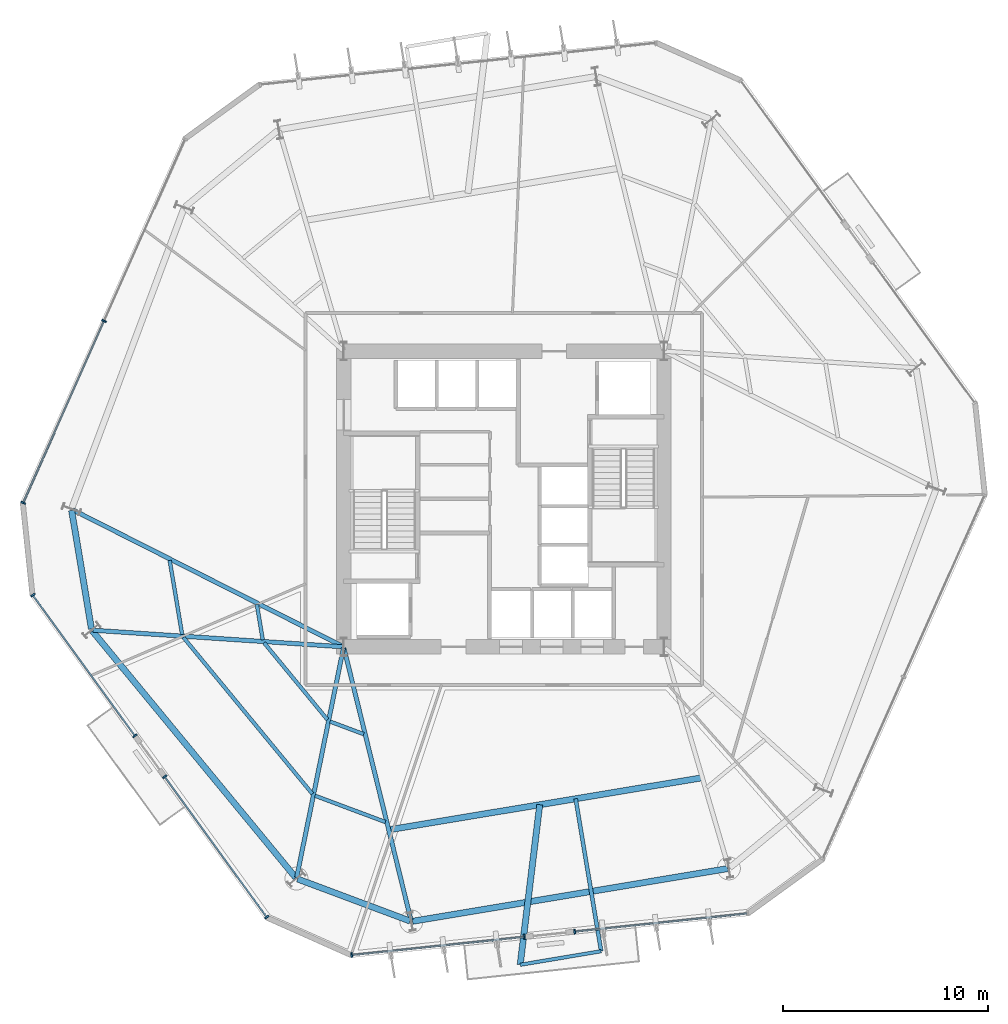
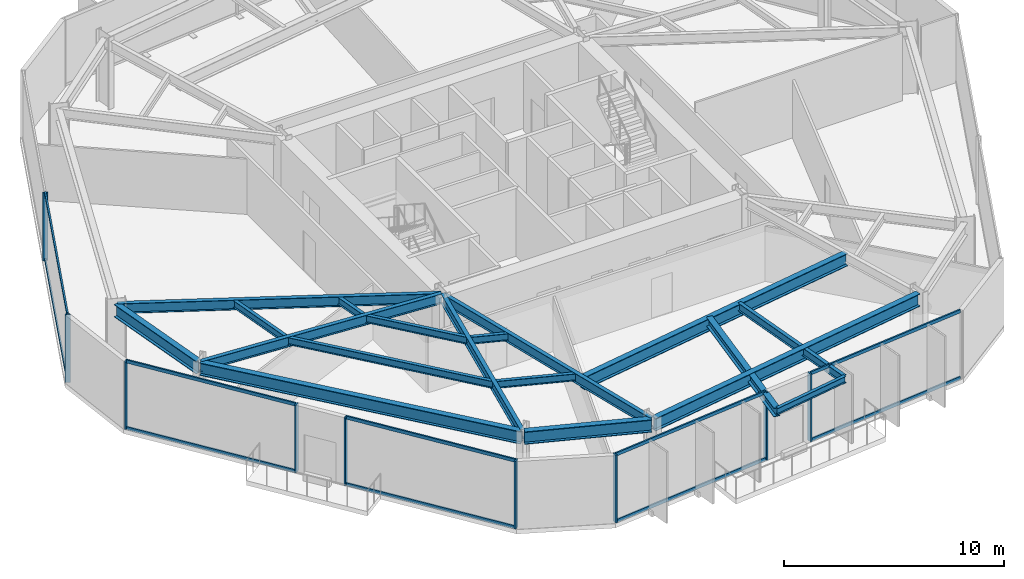
# One storey, part 2 of 11: 19 members, 18 beams, 5 elements without a shape of their own.
"""IFC4 building model written with IfcOpenShell, lengths in metres."""

from ifc_helpers import new_model, si_unit, direction, frame, origin, origin_2d, place, context, subcontext, project, spatial, rectangle, i_section, extrude, material, layer, layer_set, material_profile, profile_set, type_object, element, aggregate, save


model = new_model("IFC4")

# Units and contexts
model_context = context("Model", 3, precision=1e-05, world=origin(), true_north=direction((0.0, 1.0)))
body_context = subcontext(model_context, "Body", "Model", "MODEL_VIEW")
ifc_project = project(units=[si_unit("LENGTHUNIT", "METRE"), si_unit("AREAUNIT", "SQUARE_METRE"), si_unit("VOLUMEUNIT", "CUBIC_METRE"), si_unit("PLANEANGLEUNIT", "RADIAN"), si_unit("MASSUNIT", "GRAM", prefix="KILO")], contexts=[model_context])

# Site, building, storey
site_placement = place(None, origin())
site = spatial("IfcSite", under=ifc_project, at=site_placement, CompositionType="ELEMENT")
building_placement = place(site_placement, origin())
building = spatial("IfcBuilding", under=site, at=building_placement, Name="Kranzbogen Civic Tower", CompositionType="ELEMENT")
storey_placement = place(building_placement, frame((0.0, 0.0, 44.0)))
storey = spatial("IfcBuildingStorey", under=building, at=storey_placement, Name="L10", CompositionType="ELEMENT", Elevation=44.0)

# Beam
ifc_material_1 = material(Name="Steel S355", Category="steel")
ifc_material_profile_1 = material_profile(ifc_material_1, i_section(OverallWidth=0.18994140625, OverallDepth=0.449951171875, WebThickness=0.009521484375, FlangeThickness=0.0146484375, at=origin_2d()), Name="IPE 450")
ifc_profile_set_1 = profile_set([ifc_material_profile_1], Name="Steel S355")
beam_type_1 = type_object("IfcBeamType", Name="Braced Terrace Edge Beam IPE 450", PredefinedType="BEAM", material=ifc_profile_set_1)
beam_1_placement = place(storey_placement, frame((28.4970703125, 10.402099609375, 3.52490234375), z_axis=(0.164993294132, -0.986294688666, 0.0), x_axis=(0.986294688666, 0.164993294132, 0.0)))
element("IfcBeam", 1, at=beam_1_placement, inside=storey, type_object=beam_type_1, Name="L11 back-spanned terrace beam L11-TB1-2", PredefinedType="BEAM", context=body_context, shape_type="SweptSolid", body=[
    extrude(i_section(OverallWidth=0.18994140625, OverallDepth=0.449951171875, WebThickness=0.009521484375, FlangeThickness=0.0146484375, at=origin_2d()), origin(), (0.0, 0.0, 1.0), 7.52734375),
])

# Curtain wall, members
ifc_material_2 = material(Name="Pale Anodised Aluminium", Category="aluminium")
ifc_layer = layer(ifc_material_2, 0.219970703125, Name="Pale Anodised Aluminium")
ifc_layer_set = layer_set([ifc_layer], Name="Pale Anodised Aluminium")
curtain_wall_type = type_object("IfcCurtainWallType", Name="Zone 1 Stick Curtain Wall System CW-02", PredefinedType="USERDEFINED", material=ifc_layer_set)
curtain_wall_1_placement = place(storey_placement, origin())
curtain_wall_1 = element("IfcCurtainWall", 2, at=curtain_wall_1_placement, inside=storey, type_object=curtain_wall_type, Name="L10 curtain wall CW-L10-F3", ObjectType="STICK CURTAIN WALL", PredefinedType="USERDEFINED")
ifc_material_profile_2 = material_profile(ifc_material_2, rectangle(XDim=0.080078125, YDim=0.239990234375, at=origin_2d()), Name="ALU-M 80x240")
ifc_profile_set_2 = profile_set([ifc_material_profile_2], Name="Pale Anodised Aluminium")
member_type_1 = type_object("IfcMemberType", Name="Curtain Wall Mullion ALU-M 80x240", PredefinedType="MULLION", material=ifc_profile_set_2)
member_1_placement = place(storey_placement, frame((5.531982421875, 33.66748046875, 0.0), z_axis=(0.0, 0.0, 1.0), x_axis=(-0.406749234104, -0.913539851652, 0.0)))
member_1 = element("IfcMember", 3, at=member_1_placement, type_object=member_type_1, Name="CW-02 mullion 2", PredefinedType="MULLION", context=body_context, shape_type="SweptSolid", body=[
    extrude(rectangle(XDim=0.080078125, YDim=0.239990234375, at=origin_2d()), origin(), (0.0, 0.0, 1.0), 3.760009765625),
])
member_2_placement = place(storey_placement, frame((1.590087890625, 24.814453125, 0.0), z_axis=(0.0, 0.0, 1.0), x_axis=(-0.406749234104, -0.913539851652, 0.0)))
member_2 = element("IfcMember", 4, at=member_2_placement, type_object=member_type_1, Name="CW-02 mullion 3", PredefinedType="MULLION", context=body_context, shape_type="SweptSolid", body=[
    extrude(rectangle(XDim=0.080078125, YDim=0.239990234375, at=origin_2d()), origin(), (0.0, 0.0, 1.0), 3.760009765625),
])

curtain_wall_2_placement = place(storey_placement, origin())
curtain_wall_2 = element("IfcCurtainWall", 5, at=curtain_wall_2_placement, inside=storey, type_object=curtain_wall_type, Name="L10 curtain wall CW-L10-F4-S1", ObjectType="STICK CURTAIN WALL", PredefinedType="USERDEFINED")
member_3_placement = place(storey_placement, frame((2.063720703125, 20.314697265625, 0.0), z_axis=(0.0, 0.0, 1.0), x_axis=(0.587801827819, -0.809004951291, 0.0)))
member_3 = element("IfcMember", 6, at=member_3_placement, type_object=member_type_1, Name="CW-02 mullion 1", PredefinedType="MULLION", context=body_context, shape_type="SweptSolid", body=[
    extrude(rectangle(XDim=0.080078125, YDim=0.239990234375, at=origin_2d()), origin(), (0.0, 0.0, 1.0), 3.760009765625),
])
member_4_placement = place(storey_placement, frame((7.037353515625, 13.46923828125, 0.0), z_axis=(0.0, 0.0, 1.0), x_axis=(0.587801827819, -0.809004951291, 0.0)))
member_4 = element("IfcMember", 7, at=member_4_placement, type_object=member_type_1, Name="CW-02 mullion 2", PredefinedType="MULLION", context=body_context, shape_type="SweptSolid", body=[
    extrude(rectangle(XDim=0.080078125, YDim=0.239990234375, at=origin_2d()), origin(), (0.0, 0.0, 1.0), 3.760009765625),
])

curtain_wall_3_placement = place(storey_placement, origin())
curtain_wall_3 = element("IfcCurtainWall", 8, at=curtain_wall_3_placement, inside=storey, type_object=curtain_wall_type, Name="L10 curtain wall CW-L10-F4-S2", ObjectType="STICK CURTAIN WALL", PredefinedType="USERDEFINED")
member_5_placement = place(storey_placement, frame((8.482666015625, 11.479736328125, 0.0), z_axis=(0.0, 0.0, 1.0), x_axis=(0.587801827819, -0.809004951291, 0.0)))
member_5 = element("IfcMember", 9, at=member_5_placement, type_object=member_type_1, Name="CW-02 mullion 1", PredefinedType="MULLION", context=body_context, shape_type="SweptSolid", body=[
    extrude(rectangle(XDim=0.080078125, YDim=0.239990234375, at=origin_2d()), origin(), (0.0, 0.0, 1.0), 3.760009765625),
])
member_6_placement = place(storey_placement, frame((13.456298828125, 4.63427734375, 0.0), z_axis=(0.0, 0.0, 1.0), x_axis=(0.587801827819, -0.809004951291, 0.0)))
member_6 = element("IfcMember", 10, at=member_6_placement, type_object=member_type_1, Name="CW-02 mullion 2", PredefinedType="MULLION", context=body_context, shape_type="SweptSolid", body=[
    extrude(rectangle(XDim=0.080078125, YDim=0.239990234375, at=origin_2d()), origin(), (0.0, 0.0, 1.0), 3.760009765625),
])

curtain_wall_4_placement = place(storey_placement, origin())
curtain_wall_4 = element("IfcCurtainWall", 11, at=curtain_wall_4_placement, inside=storey, type_object=curtain_wall_type, Name="L10 curtain wall CW-L10-F5-S1", ObjectType="STICK CURTAIN WALL", PredefinedType="USERDEFINED")
member_7_placement = place(storey_placement, frame((17.58984375, 2.794189453125, 0.0), z_axis=(0.0, 0.0, 1.0), x_axis=(0.994517664559, 0.104568708893, 0.0)))
member_7 = element("IfcMember", 12, at=member_7_placement, type_object=member_type_1, Name="CW-02 mullion 1", PredefinedType="MULLION", context=body_context, shape_type="SweptSolid", body=[
    extrude(rectangle(XDim=0.080078125, YDim=0.239990234375, at=origin_2d()), origin(), (0.0, 0.0, 1.0), 3.760009765625),
])
member_8_placement = place(storey_placement, frame((26.004150390625, 3.678955078125, 0.0), z_axis=(0.0, 0.0, 1.0), x_axis=(0.994517664559, 0.104568708893, 0.0)))
member_8 = element("IfcMember", 13, at=member_8_placement, type_object=member_type_1, Name="CW-02 mullion 2", PredefinedType="MULLION", context=body_context, shape_type="SweptSolid", body=[
    extrude(rectangle(XDim=0.080078125, YDim=0.239990234375, at=origin_2d()), origin(), (0.0, 0.0, 1.0), 3.760009765625),
])

# Curtain wall, member
curtain_wall_5_placement = place(storey_placement, origin())
curtain_wall_5 = element("IfcCurtainWall", 14, at=curtain_wall_5_placement, inside=storey, type_object=curtain_wall_type, Name="L10 curtain wall CW-L10-F5-S2", ObjectType="STICK CURTAIN WALL", PredefinedType="USERDEFINED")
member_9_placement = place(storey_placement, frame((28.450927734375, 3.93505859375, 0.0), z_axis=(0.0, 0.0, 1.0), x_axis=(0.994517664559, 0.104568708893, 0.0)))
member_9 = element("IfcMember", 15, at=member_9_placement, type_object=member_type_1, Name="CW-02 mullion 1", PredefinedType="MULLION", context=body_context, shape_type="SweptSolid", body=[
    extrude(rectangle(XDim=0.080078125, YDim=0.239990234375, at=origin_2d()), origin(), (0.0, 0.0, 1.0), 3.760009765625),
])

# Member
ifc_material_profile_3 = material_profile(ifc_material_2, rectangle(XDim=0.080078125, YDim=0.179931640625, at=origin_2d()), Name="ALU-T 80x180")
ifc_profile_set_3 = profile_set([ifc_material_profile_3], Name="Pale Anodised Aluminium")
member_type_2 = type_object("IfcMemberType", Name="Curtain Wall Transom ALU-T 80x180", PredefinedType="USERDEFINED", material=ifc_profile_set_3)
member_10_placement = place(storey_placement, frame((5.519775390625, 33.64013671875, 0.030029296875), z_axis=(-0.406754596489, -0.913537464057, 0.0), x_axis=(0.913537464057, -0.406754596489, 0.0)))
member_10 = element("IfcMember", 16, at=member_10_placement, type_object=member_type_2, Name="CW-02 transom 2.1", ObjectType="TRANSOM", PredefinedType="USERDEFINED", context=body_context, shape_type="SweptSolid", body=[
    extrude(rectangle(XDim=0.080078125, YDim=0.179931640625, at=origin_2d()), origin(), (0.0, 0.0, 1.0), 9.631103515625),
])

member_11_placement = place(storey_placement, frame((5.519775390625, 33.64013671875, 3.72998046875), z_axis=(-0.406754596489, -0.913537464057, 0.0), x_axis=(0.913537464057, -0.406754596489, 0.0)))
member_11 = element("IfcMember", 17, at=member_11_placement, type_object=member_type_2, Name="CW-02 transom 2.2", ObjectType="TRANSOM", PredefinedType="USERDEFINED", context=body_context, shape_type="SweptSolid", body=[
    extrude(rectangle(XDim=0.080078125, YDim=0.179931640625, at=origin_2d()), origin(), (0.0, 0.0, 1.0), 9.631103515625),
])

aggregate(curtain_wall_1, [member_1, member_2, member_10, member_11])

member_12_placement = place(storey_placement, frame((2.081298828125, 20.29052734375, 0.030029296875), z_axis=(0.587805336941, -0.809002401643, 0.0), x_axis=(0.809002401643, 0.587805336941, 0.0)))
member_12 = element("IfcMember", 18, at=member_12_placement, type_object=member_type_2, Name="CW-02 transom 1.1", ObjectType="TRANSOM", PredefinedType="USERDEFINED", context=body_context, shape_type="SweptSolid", body=[
    extrude(rectangle(XDim=0.080078125, YDim=0.179931640625, at=origin_2d()), origin(), (0.0, 0.0, 1.0), 8.401611328125),
])

member_13_placement = place(storey_placement, frame((2.081298828125, 20.29052734375, 3.72998046875), z_axis=(0.587805336941, -0.809002401643, 0.0), x_axis=(0.809002401643, 0.587805336941, 0.0)))
member_13 = element("IfcMember", 19, at=member_13_placement, type_object=member_type_2, Name="CW-02 transom 1.2", ObjectType="TRANSOM", PredefinedType="USERDEFINED", context=body_context, shape_type="SweptSolid", body=[
    extrude(rectangle(XDim=0.080078125, YDim=0.179931640625, at=origin_2d()), origin(), (0.0, 0.0, 1.0), 8.401611328125),
])

aggregate(curtain_wall_2, [member_3, member_4, member_12, member_13])

member_14_placement = place(storey_placement, frame((8.500244140625, 11.45556640625, 0.030029296875), z_axis=(0.587791518584, -0.809012441611, 0.0), x_axis=(0.809012441611, 0.587791518584, 0.0)))
member_14 = element("IfcMember", 20, at=member_14_placement, type_object=member_type_2, Name="CW-02 transom 1.1", ObjectType="TRANSOM", PredefinedType="USERDEFINED", context=body_context, shape_type="SweptSolid", body=[
    extrude(rectangle(XDim=0.080078125, YDim=0.179931640625, at=origin_2d()), origin(), (0.0, 0.0, 1.0), 8.40185546875),
])

member_15_placement = place(storey_placement, frame((8.500244140625, 11.45556640625, 3.72998046875), z_axis=(0.587791518584, -0.809012441611, 0.0), x_axis=(0.809012441611, 0.587791518584, 0.0)))
member_15 = element("IfcMember", 21, at=member_15_placement, type_object=member_type_2, Name="CW-02 transom 1.2", ObjectType="TRANSOM", PredefinedType="USERDEFINED", context=body_context, shape_type="SweptSolid", body=[
    extrude(rectangle(XDim=0.080078125, YDim=0.179931640625, at=origin_2d()), origin(), (0.0, 0.0, 1.0), 8.40185546875),
])

aggregate(curtain_wall_3, [member_5, member_6, member_14, member_15])

member_16_placement = place(storey_placement, frame((17.61962890625, 2.79736328125, 0.030029296875), z_axis=(0.994518184904, 0.104563759951, 0.0), x_axis=(-0.104563759951, 0.994518184904, 0.0)))
member_16 = element("IfcMember", 22, at=member_16_placement, type_object=member_type_2, Name="CW-02 transom 1.1", ObjectType="TRANSOM", PredefinedType="USERDEFINED", context=body_context, shape_type="SweptSolid", body=[
    extrude(rectangle(XDim=0.080078125, YDim=0.179931640625, at=origin_2d()), origin(), (0.0, 0.0, 1.0), 8.40087890625),
])

member_17_placement = place(storey_placement, frame((17.61962890625, 2.79736328125, 3.72998046875), z_axis=(0.994518184904, 0.104563759951, 0.0), x_axis=(-0.104563759951, 0.994518184904, 0.0)))
member_17 = element("IfcMember", 23, at=member_17_placement, type_object=member_type_2, Name="CW-02 transom 1.2", ObjectType="TRANSOM", PredefinedType="USERDEFINED", context=body_context, shape_type="SweptSolid", body=[
    extrude(rectangle(XDim=0.080078125, YDim=0.179931640625, at=origin_2d()), origin(), (0.0, 0.0, 1.0), 8.40087890625),
])

aggregate(curtain_wall_4, [member_7, member_8, member_16, member_17])

member_18_placement = place(storey_placement, frame((28.480712890625, 3.938232421875, 0.030029296875), z_axis=(0.994518184904, 0.104563759951, 0.0), x_axis=(-0.104563759951, 0.994518184904, 0.0)))
member_18 = element("IfcMember", 24, at=member_18_placement, type_object=member_type_2, Name="CW-02 transom 1.1", ObjectType="TRANSOM", PredefinedType="USERDEFINED", context=body_context, shape_type="SweptSolid", body=[
    extrude(rectangle(XDim=0.080078125, YDim=0.179931640625, at=origin_2d()), origin(), (0.0, 0.0, 1.0), 8.40087890625),
])

member_19_placement = place(storey_placement, frame((28.480712890625, 3.938232421875, 3.72998046875), z_axis=(0.994518184904, 0.104563759951, 0.0), x_axis=(-0.104563759951, 0.994518184904, 0.0)))
member_19 = element("IfcMember", 25, at=member_19_placement, type_object=member_type_2, Name="CW-02 transom 1.2", ObjectType="TRANSOM", PredefinedType="USERDEFINED", context=body_context, shape_type="SweptSolid", body=[
    extrude(rectangle(XDim=0.080078125, YDim=0.179931640625, at=origin_2d()), origin(), (0.0, 0.0, 1.0), 8.40087890625),
])

aggregate(curtain_wall_5, [member_9, member_18, member_19])

# Beams
ifc_material_profile_4 = material_profile(ifc_material_1, i_section(OverallWidth=0.300048828125, OverallDepth=0.5, WebThickness=0.014404296875, FlangeThickness=0.028076171875, at=origin_2d()), Name="HEB 500")
ifc_profile_set_4 = profile_set([ifc_material_profile_4], Name="Steel S355")
beam_type_2 = type_object("IfcBeamType", Name="Perimeter Tube Spandrel Beam HEB 500", PredefinedType="SPANDREL", material=ifc_profile_set_4)
beam_2_placement = place(storey_placement, frame((26.748046875, 10.112060546875, 3.5), z_axis=(-0.121244894525, -0.992622624944, 0.0), x_axis=(0.992622624944, -0.121244894525, 0.0)))
element("IfcBeam", 26, at=beam_2_placement, inside=storey, type_object=beam_type_2, Name="L11 back-spanned terrace beam L11-TB1-1", PredefinedType="SPANDREL", context=body_context, shape_type="SweptSolid", body=[
    extrude(i_section(OverallWidth=0.300048828125, OverallDepth=0.5, WebThickness=0.014404296875, FlangeThickness=0.028076171875, at=origin_2d()), origin(), (0.0, 0.0, 1.0), 7.85302734375),
])
ifc_material_profile_5 = material_profile(ifc_material_1, i_section(OverallWidth=0.300048828125, OverallDepth=0.699951171875, WebThickness=0.01708984375, FlangeThickness=0.031982421875, at=origin_2d()), Name="HEB 700")
ifc_profile_set_5 = profile_set([ifc_material_profile_5], Name="Steel S355")
beam_type_3 = type_object("IfcBeamType", Name="Perimeter Tube Spandrel Beam HEB 700", PredefinedType="SPANDREL", material=ifc_profile_set_5)
beam_3_placement = place(storey_placement, frame((3.952880859375, 24.445068359375, 3.409912109375), z_axis=(0.164913116942, -0.986308097838, 0.0), x_axis=(0.986308097838, 0.164913116942, 0.0)))
element("IfcBeam", 27, at=beam_3_placement, inside=storey, type_object=beam_type_3, Name="L10 perimeter spandrel beam 01", PredefinedType="SPANDREL", context=body_context, shape_type="SweptSolid", body=[
    extrude(i_section(OverallWidth=0.300048828125, OverallDepth=0.699951171875, WebThickness=0.01708984375, FlangeThickness=0.031982421875, at=origin_2d()), origin(), (0.0, 0.0, 1.0), 5.85205078125),
])
beam_4_placement = place(storey_placement, frame((4.966064453125, 18.568115234375, 3.409912109375), z_axis=(0.636074572579, -0.771627590304, 0.0), x_axis=(0.771627590304, 0.636074572579, 0.0)))
element("IfcBeam", 28, at=beam_4_placement, inside=storey, type_object=beam_type_3, Name="L10 perimeter spandrel beam 02", PredefinedType="SPANDREL", context=body_context, shape_type="SweptSolid", body=[
    extrude(i_section(OverallWidth=0.300048828125, OverallDepth=0.699951171875, WebThickness=0.01708984375, FlangeThickness=0.031982421875, at=origin_2d()), origin(), (0.0, 0.0, 1.0), 15.5595703125),
])
beam_5_placement = place(storey_placement, frame((14.95703125, 6.4951171875, 3.409912109375), z_axis=(0.936647646965, -0.350273015568, 0.0), x_axis=(0.350273015568, 0.936647646965, 0.0)))
element("IfcBeam", 29, at=beam_5_placement, inside=storey, type_object=beam_type_3, Name="L10 perimeter spandrel beam 03", PredefinedType="SPANDREL", context=body_context, shape_type="SweptSolid", body=[
    extrude(i_section(OverallWidth=0.300048828125, OverallDepth=0.699951171875, WebThickness=0.01708984375, FlangeThickness=0.031982421875, at=origin_2d()), origin(), (0.0, 0.0, 1.0), 5.852783203125),
])
beam_6_placement = place(storey_placement, frame((20.553955078125, 4.43408203125, 3.409912109375), z_axis=(0.986285563243, 0.165047834697, 0.0), x_axis=(-0.165047834697, 0.986285563243, 0.0)))
element("IfcBeam", 30, at=beam_6_placement, inside=storey, type_object=beam_type_3, Name="L10 perimeter spandrel beam 04", PredefinedType="SPANDREL", context=body_context, shape_type="SweptSolid", body=[
    extrude(i_section(OverallWidth=0.300048828125, OverallDepth=0.699951171875, WebThickness=0.01708984375, FlangeThickness=0.031982421875, at=origin_2d()), origin(), (0.0, 0.0, 1.0), 15.558349609375),
])
beam_7_placement = place(storey_placement, frame((19.39501953125, 8.889892578125, 3.39990234375), z_axis=(0.9864781902, 0.163892587571, 0.0), x_axis=(-0.163892587571, 0.9864781902, 0.0)))
element("IfcBeam", 31, at=beam_7_placement, inside=storey, type_object=beam_type_3, Name="L11 balcony back-span header girder L11-TB1", PredefinedType="SPANDREL", context=body_context, shape_type="SweptSolid", body=[
    extrude(i_section(OverallWidth=0.300048828125, OverallDepth=0.699951171875, WebThickness=0.01708984375, FlangeThickness=0.031982421875, at=origin_2d()), origin(), (0.0, 0.0, 1.0), 15.480224609375),
])
ifc_material_profile_6 = material_profile(ifc_material_1, i_section(OverallWidth=0.2099609375, OverallDepth=0.550048828125, WebThickness=0.010986328125, FlangeThickness=0.01708984375, at=origin_2d()), Name="IPE 550")
ifc_profile_set_6 = profile_set([ifc_material_profile_6], Name="Steel S355")
beam_type_4 = type_object("IfcBeamType", Name="Radial Tower Floor Girder IPE 550", PredefinedType="BEAM", material=ifc_profile_set_6)
beam_8_placement = place(storey_placement, frame((3.9970703125, 24.47705078125, 3.485107421875), z_axis=(0.892363219254, -0.451317942168, 0.0), x_axis=(0.451317942168, 0.892363219254, 0.0)))
element("IfcBeam", 32, at=beam_8_placement, inside=storey, type_object=beam_type_4, Name="L10 radial floor girder 01", PredefinedType="BEAM", context=body_context, shape_type="SweptSolid", body=[
    extrude(i_section(OverallWidth=0.2099609375, OverallDepth=0.550048828125, WebThickness=0.010986328125, FlangeThickness=0.01708984375, at=origin_2d()), origin(), (0.0, 0.0, 1.0), 14.73486328125),
])
beam_9_placement = place(storey_placement, frame((4.988037109375, 18.610107421875, 3.485107421875), z_axis=(0.99780674843, -0.066194356156, 0.0), x_axis=(0.066194356156, 0.99780674843, 0.0)))
element("IfcBeam", 33, at=beam_9_placement, inside=storey, type_object=beam_type_4, Name="L10 radial floor girder 02", PredefinedType="BEAM", context=body_context, shape_type="SweptSolid", body=[
    extrude(i_section(OverallWidth=0.2099609375, OverallDepth=0.550048828125, WebThickness=0.010986328125, FlangeThickness=0.01708984375, at=origin_2d()), origin(), (0.0, 0.0, 1.0), 12.178466796875),
])
beam_10_placement = place(storey_placement, frame((14.9130859375, 6.574951171875, 3.485107421875), z_axis=(0.199633433694, 0.979870650725, 0.0), x_axis=(-0.979870650725, 0.199633433694, 0.0)))
element("IfcBeam", 34, at=beam_10_placement, inside=storey, type_object=beam_type_4, Name="L10 radial floor girder 03", PredefinedType="BEAM", context=body_context, shape_type="SweptSolid", body=[
    extrude(i_section(OverallWidth=0.2099609375, OverallDepth=0.550048828125, WebThickness=0.010986328125, FlangeThickness=0.01708984375, at=origin_2d()), origin(), (0.0, 0.0, 1.0), 11.3955078125),
])
beam_11_placement = place(storey_placement, frame((20.48095703125, 4.48193359375, 3.485107421875), z_axis=(-0.239215348776, 0.970966537482, 0.0), x_axis=(-0.970966537482, -0.239215348776, 0.0)))
element("IfcBeam", 35, at=beam_11_placement, inside=storey, type_object=beam_type_4, Name="L10 radial floor girder 04", PredefinedType="BEAM", context=body_context, shape_type="SweptSolid", body=[
    extrude(i_section(OverallWidth=0.2099609375, OverallDepth=0.550048828125, WebThickness=0.010986328125, FlangeThickness=0.01708984375, at=origin_2d()), origin(), (0.0, 0.0, 1.0), 13.656494140625),
])
ifc_material_profile_7 = material_profile(ifc_material_1, i_section(OverallWidth=0.169921875, OverallDepth=0.360107421875, WebThickness=0.008056640625, FlangeThickness=0.0126953125, at=origin_2d()), Name="IPE 360")
ifc_profile_set_7 = profile_set([ifc_material_profile_7], Name="Steel S355")
beam_type_5 = type_object("IfcBeamType", Name="Secondary Composite Floor Joist IPE 360", PredefinedType="JOIST", material=ifc_profile_set_7)
beam_12_placement = place(storey_placement, frame((25.7958984375, 2.31689453125, 3.570068359375), z_axis=(0.98623337131, 0.165359418581, 0.0), x_axis=(-0.165359418581, 0.98623337131, 0.0)))
element("IfcBeam", 36, at=beam_12_placement, inside=storey, type_object=beam_type_5, Name="L11 terrace outer edge trimmer L11-TB1", PredefinedType="JOIST", context=body_context, shape_type="SweptSolid", body=[
    extrude(i_section(OverallWidth=0.169921875, OverallDepth=0.360107421875, WebThickness=0.008056640625, FlangeThickness=0.0126953125, at=origin_2d()), origin(), (0.0, 0.0, 1.0), 3.998046875),
])
ifc_material_profile_8 = material_profile(ifc_material_1, i_section(OverallWidth=0.179931640625, OverallDepth=0.39990234375, WebThickness=0.008544921875, FlangeThickness=0.013427734375, at=origin_2d()), Name="IPE 400")
ifc_profile_set_8 = profile_set([ifc_material_profile_8], Name="Steel S355")
beam_type_6 = type_object("IfcBeamType", Name="Secondary Composite Floor Joist IPE 400", PredefinedType="JOIST", material=ifc_profile_set_8)
beam_13_placement = place(storey_placement, frame((8.72900390625, 22.011962890625, 3.56005859375), z_axis=(0.164928678379, -0.986305495802, 0.0), x_axis=(0.986305495802, 0.164928678379, 0.0)))
element("IfcBeam", 37, at=beam_13_placement, inside=storey, type_object=beam_type_6, Name="L10 secondary floor joist 1.01", PredefinedType="JOIST", context=body_context, shape_type="SweptSolid", body=[
    extrude(i_section(OverallWidth=0.179931640625, OverallDepth=0.39990234375, WebThickness=0.008544921875, FlangeThickness=0.013427734375, at=origin_2d()), origin(), (0.0, 0.0, 1.0), 3.662109375),
])
beam_14_placement = place(storey_placement, frame((12.970947265625, 19.865966796875, 3.56005859375), z_axis=(0.165077224104, -0.986280644686, 0.0), x_axis=(0.986280644686, 0.165077224104, 0.0)))
element("IfcBeam", 38, at=beam_14_placement, inside=storey, type_object=beam_type_6, Name="L10 secondary floor joist 2.01", PredefinedType="JOIST", context=body_context, shape_type="SweptSolid", body=[
    extrude(i_section(OverallWidth=0.179931640625, OverallDepth=0.39990234375, WebThickness=0.008544921875, FlangeThickness=0.013427734375, at=origin_2d()), origin(), (0.0, 0.0, 1.0), 1.7509765625),
])
beam_15_placement = place(storey_placement, frame((9.39697265625, 18.259033203125, 3.56005859375), z_axis=(0.636094561772, -0.771611112209, 0.0), x_axis=(0.771611112209, 0.636094561772, 0.0)))
element("IfcBeam", 39, at=beam_15_placement, inside=storey, type_object=beam_type_6, Name="L10 secondary floor joist 1.02", PredefinedType="JOIST", context=body_context, shape_type="SweptSolid", body=[
    extrude(i_section(OverallWidth=0.179931640625, OverallDepth=0.39990234375, WebThickness=0.008544921875, FlangeThickness=0.013427734375, at=origin_2d()), origin(), (0.0, 0.0, 1.0), 9.874267578125),
])
beam_16_placement = place(storey_placement, frame((13.323974609375, 17.9990234375, 3.56005859375), z_axis=(0.636012010413, -0.771679157818, 0.0), x_axis=(0.771679157818, 0.636012010413, 0.0)))
element("IfcBeam", 40, at=beam_16_placement, inside=storey, type_object=beam_type_6, Name="L10 secondary floor joist 2.02", PredefinedType="JOIST", context=body_context, shape_type="SweptSolid", body=[
    extrude(i_section(OverallWidth=0.179931640625, OverallDepth=0.39990234375, WebThickness=0.008544921875, FlangeThickness=0.013427734375, at=origin_2d()), origin(), (0.0, 0.0, 1.0), 4.85693359375),
])
beam_17_placement = place(storey_placement, frame((15.803955078125, 10.550048828125, 3.56005859375), z_axis=(0.936622008794, -0.350341565678, 0.0), x_axis=(0.350341565678, 0.936622008794, 0.0)))
element("IfcBeam", 41, at=beam_17_placement, inside=storey, type_object=beam_type_6, Name="L10 secondary floor joist 1.03", PredefinedType="JOIST", context=body_context, shape_type="SweptSolid", body=[
    extrude(i_section(OverallWidth=0.179931640625, OverallDepth=0.39990234375, WebThickness=0.008544921875, FlangeThickness=0.013427734375, at=origin_2d()), origin(), (0.0, 0.0, 1.0), 3.662109375),
])
beam_18_placement = place(storey_placement, frame((16.5390625, 14.160888671875, 3.56005859375), z_axis=(0.936735458815, -0.350038112495, 0.0), x_axis=(0.350038112495, 0.936735458815, 0.0)))
element("IfcBeam", 42, at=beam_18_placement, inside=storey, type_object=beam_type_6, Name="L10 secondary floor joist 2.03", PredefinedType="JOIST", context=body_context, shape_type="SweptSolid", body=[
    extrude(i_section(OverallWidth=0.179931640625, OverallDepth=0.39990234375, WebThickness=0.008544921875, FlangeThickness=0.013427734375, at=origin_2d()), origin(), (0.0, 0.0, 1.0), 1.750732421875),
])

save(model, "model.ifc")
